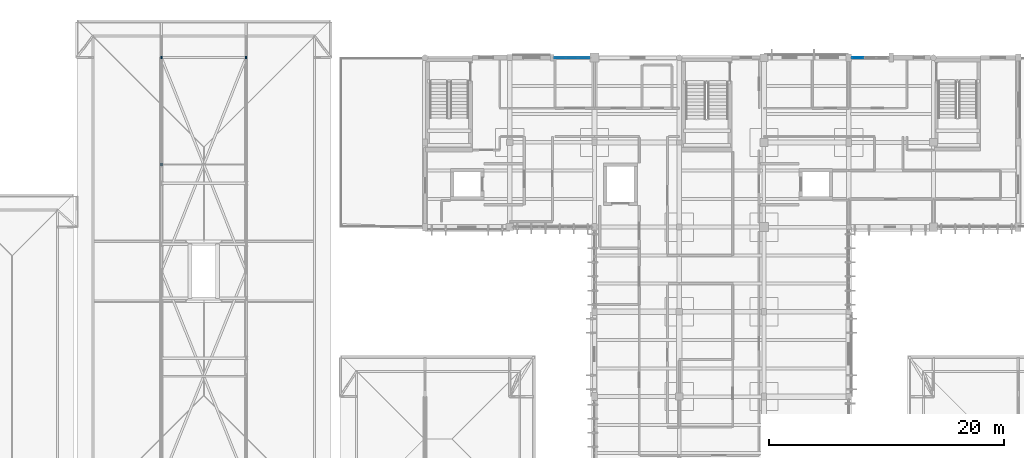
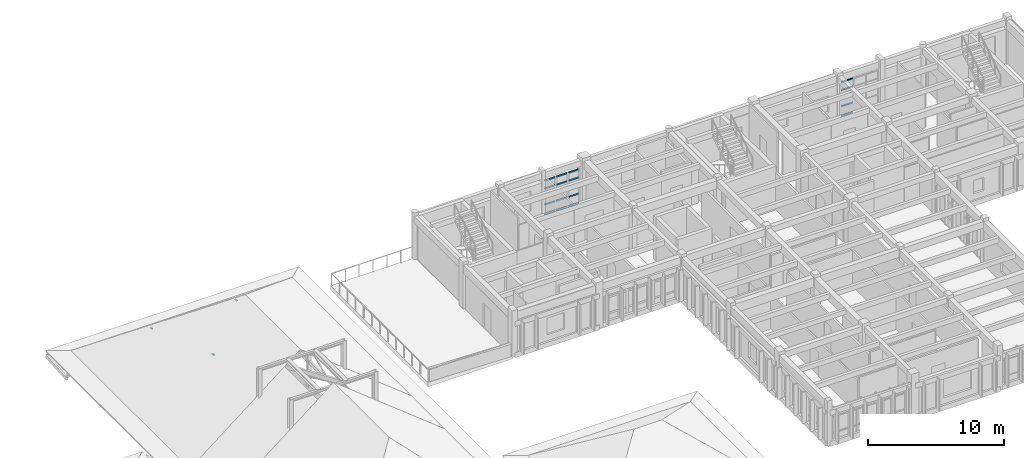
# One storey, part 21 of 51: 19 members, 2 elements without a shape of their own.
"""IFC4 building model written with IfcOpenShell, lengths in metres."""

import ifcopenshell
import ifcopenshell.guid

model = None  # the IFC model being written
_history = None  # IfcOwnerHistory: only IFC2X3 demands one
_inside = {}  # id of a spatial element -> (the spatial element, [elements in it])
_under = {}  # id of a project, library or spatial element -> (it, [spatial elements below it])
_declared = {}  # id of a project -> (the project, [libraries it declares])
_typed = {}  # id of a type object -> (the type object, [elements of that type])
_made_of = {}  # id of a material, layer set ... -> (it, [elements and type objects made of it])


def new_model(schema):
    """Start an empty IFC model of exactly this schema.

    Asked for "IFC4X3", IfcOpenShell would pick the latest addendum, in which some entities
    have other attributes; the version numbers below select the first issue.
    IFC2X3 requires an IfcOwnerHistory on every rooted entity: one is made here for all.
    """
    global model, _history
    if schema == "IFC4X3":
        model = ifcopenshell.file(schema_version=(4, 3, 0, 0))
    else:
        model = ifcopenshell.file(schema=schema)
    _inside.clear()
    _under.clear()
    _declared.clear()
    _typed.clear()
    _made_of.clear()
    _history = None
    if model.schema == "IFC2X3":
        org = make("IfcOrganization", Name="unknown")
        user = make(
            "IfcPersonAndOrganization",
            ThePerson=make("IfcPerson", FamilyName="unknown"),
            TheOrganization=org,
        )
        app = make(
            "IfcApplication",
            ApplicationDeveloper=org,
            Version="unknown",
            ApplicationFullName="unknown",
            ApplicationIdentifier="unknown",
        )
        _history = make(
            "IfcOwnerHistory",
            OwningUser=user,
            OwningApplication=app,
            ChangeAction="ADDED",
            CreationDate=0,
        )
    return model


def make(cls, **values):
    """One entity of the class cls with the attributes given. An attribute that is None is left unset."""
    return model.create_entity(
        cls, **{name: value for name, value in values.items() if value is not None}
    )


def rooted(cls, **values):
    """An entity with a GlobalId (a new one), such as an element, a storey or a relation."""
    return make(cls, GlobalId=ifcopenshell.guid.new(), OwnerHistory=_history, **values)


def si_unit(unit_type, name, prefix=None):
    """IfcSIUnit, for example si_unit("LENGTHUNIT", "METRE", prefix="MILLI")."""
    return make("IfcSIUnit", UnitType=unit_type, Prefix=prefix, Name=name)


def assignment(units):
    """IfcUnitAssignment: the units of a project."""
    return None if units is None else make("IfcUnitAssignment", Units=units)


def point(xyz):
    """IfcCartesianPoint."""
    return None if xyz is None else make("IfcCartesianPoint", Coordinates=xyz)


def direction(xyz):
    """IfcDirection."""
    return None if xyz is None else make("IfcDirection", DirectionRatios=xyz)


def frame(location, z_axis=None, x_axis=None):
    """IfcAxis2Placement3D, a coordinate frame: its origin and axes. An axis left out is left unset."""
    return make(
        "IfcAxis2Placement3D",
        Location=point(location),
        Axis=direction(z_axis),
        RefDirection=direction(x_axis),
    )


def frame_2d(location, x_axis=None):
    """IfcAxis2Placement2D, a coordinate frame in the plane: its origin and x axis."""
    return make(
        "IfcAxis2Placement2D", Location=point(location), RefDirection=direction(x_axis)
    )


def origin():
    """The frame at (0, 0, 0) with its axes left unset."""
    return frame((0.0, 0.0, 0.0))


def origin_2d():
    """The frame at (0, 0) in the plane with its x axis left unset."""
    return frame_2d((0.0, 0.0))


def place(relative_to, where):
    """IfcLocalPlacement: puts the frame where relative to a parent placement (None: the world)."""
    return make(
        "IfcLocalPlacement", PlacementRelTo=relative_to, RelativePlacement=where
    )


def context(
    kind, dimensions, precision=None, world=None, true_north=None, identifier=None
):
    """IfcGeometricRepresentationContext, for example the 3D "Model" context."""
    return make(
        "IfcGeometricRepresentationContext",
        ContextIdentifier=identifier,
        ContextType=kind,
        CoordinateSpaceDimension=dimensions,
        Precision=precision,
        WorldCoordinateSystem=world,
        TrueNorth=true_north,
    )


def subcontext(parent, identifier, kind, view, scale=None):
    """IfcGeometricRepresentationSubContext, for example "Body" below "Model"."""
    return make(
        "IfcGeometricRepresentationSubContext",
        ContextIdentifier=identifier,
        ContextType=kind,
        ParentContext=parent,
        TargetScale=scale,
        TargetView=view,
    )


def project(units=None, contexts=None):
    """IfcProject with its units and contexts."""
    return rooted(
        "IfcProject",
        Name="project",
        RepresentationContexts=contexts,
        UnitsInContext=assignment(units),
    )


def spatial(cls, under=None, at=None, **own):
    """A site, building, storey or space (cls), placed at a placement, below another one or the project."""
    s = rooted(cls, ObjectPlacement=at, **own)
    if under is not None:
        _under.setdefault(under.id(), (under, []))[1].append(s)
    return s


def profile(cls, at=None, kind="AREA", **sizes):
    """A parametric profile (cls). Its sizes go by their IFC names, for example OverallWidth=200.0."""
    return make(cls, ProfileType=kind, Position=at, **sizes)


def rectangle(**sizes):
    """IfcRectangleProfileDef."""
    return profile("IfcRectangleProfileDef", **sizes)


def extrude(swept, where, along, depth):
    """IfcExtrudedAreaSolid: the profile swept, set in the frame where, extruded along a direction by depth."""
    return make(
        "IfcExtrudedAreaSolid",
        SweptArea=swept,
        Position=where,
        ExtrudedDirection=direction(along),
        Depth=depth,
    )


def shape(context_of_items, identifier, shape_type, items):
    """IfcShapeRepresentation: the items that make up one representation, for example the "Body"."""
    return make(
        "IfcShapeRepresentation",
        ContextOfItems=context_of_items,
        RepresentationIdentifier=identifier,
        RepresentationType=shape_type,
        Items=items,
    )


def material(Name=None, Category=None):
    """IfcMaterial."""
    return make("IfcMaterial", Name=Name, Category=Category)


def material_profile(
    of_material, cross_section, Name=None, Category=None, Priority=None
):
    """IfcMaterialProfile: a cross section and its material."""
    return make(
        "IfcMaterialProfile",
        Name=Name,
        Material=of_material,
        Profile=cross_section,
        Priority=Priority,
        Category=Category,
    )


def profile_set(profiles, Name=None, composite=None):
    """IfcMaterialProfileSet."""
    return make(
        "IfcMaterialProfileSet",
        Name=Name,
        MaterialProfiles=profiles,
        CompositeProfile=composite,
    )


def made_of(thing, what):
    """Note that an element or type object is made of a material, layer set ...; save() writes the relation."""
    if what is not None:
        _made_of.setdefault(what.id(), (what, []))[1].append(thing)
    return thing


def type_object(cls, material=None, **own):
    """A type object (cls), such as IfcWallType, which elements share."""
    return made_of(rooted(cls, **own), material)


def element(
    cls,
    number,
    at=None,
    inside=None,
    cuts=None,
    type_object=None,
    material=None,
    context=None,
    identifier="Body",
    shape_type=None,
    held_by="IfcProductDefinitionShape",
    body=None,
    shapes=None,
    **own,
):
    """One element of the class cls, such as IfcWall. Its Tag is "e" and its number.

    at: its placement. inside: the storey or other place that contains it. cuts: it is an
    opening in that element (IfcRelVoidsElement). A single representation is given by context,
    identifier, shape_type and body (its items); several are given by shapes. held_by: the class
    of the entity that holds the representations. save() writes the other relations.
    """
    e = rooted(cls, Tag="e%d" % number, ObjectPlacement=at, **own)
    if body is not None:
        shapes = [shape(context, identifier, shape_type, body)]
    if shapes is not None:
        e.Representation = make(held_by, Representations=shapes)
    if inside is not None:
        _inside.setdefault(inside.id(), (inside, []))[1].append(e)
    if cuts is not None:
        rooted(
            "IfcRelVoidsElement", RelatingBuildingElement=cuts, RelatedOpeningElement=e
        )
    if type_object is not None:
        _typed.setdefault(type_object.id(), (type_object, []))[1].append(e)
    return made_of(e, material)


def aggregate(whole, parts):
    """IfcRelAggregates: a whole, such as a stair, and the parts it consists of."""
    return rooted("IfcRelAggregates", RelatingObject=whole, RelatedObjects=parts)


def save(model, path):
    """Write the relations noted so far, then the file.

    IfcRelAggregates (storeys below a building ...), IfcRelContainedInSpatialStructure (elements
    in a storey), IfcRelDefinesByType, IfcRelAssociatesMaterial and IfcRelDeclares: one each for
    every whole, place, type object, material and project.
    """
    for whole, parts in _under.values():
        aggregate(whole, parts)
    for where, things in _inside.values():
        rooted(
            "IfcRelContainedInSpatialStructure",
            RelatedElements=things,
            RelatingStructure=where,
        )
    for kind, things in _typed.values():
        rooted("IfcRelDefinesByType", RelatedObjects=things, RelatingType=kind)
    for what, things in _made_of.values():
        rooted("IfcRelAssociatesMaterial", RelatedObjects=things, RelatingMaterial=what)
    for by, libraries in _declared.values():
        rooted("IfcRelDeclares", RelatingContext=by, RelatedDefinitions=libraries)
    model.write(path)


model = new_model("IFC4")

# Units and contexts
model_context = context("Model", 3, precision=1e-05, world=origin(), true_north=direction((0.0, 1.0)))
body_context = subcontext(model_context, "Body", "Model", "MODEL_VIEW")
ifc_project = project(units=[si_unit("LENGTHUNIT", "METRE"), si_unit("AREAUNIT", "SQUARE_METRE"), si_unit("VOLUMEUNIT", "CUBIC_METRE"), si_unit("PLANEANGLEUNIT", "RADIAN"), si_unit("MASSUNIT", "GRAM", prefix="KILO")], contexts=[model_context])

# Site, building, storey
site_placement = place(None, origin())
site = spatial("IfcSite", under=ifc_project, at=site_placement, CompositionType="ELEMENT")
building_placement = place(site_placement, origin())
building = spatial("IfcBuilding", under=site, at=building_placement, Name="Steenspoor Specialist Clinic", CompositionType="ELEMENT")
storey_placement = place(building_placement, frame((0.0, 0.0, 17.39990234375)))
storey = spatial("IfcBuildingStorey", under=building, at=storey_placement, Name="L04", CompositionType="ELEMENT", Elevation=17.39990234375)

# Curtain wall, members
ifc_material_1 = material(Name="Thermally broken aluminium and low-emissivity glass", Category="aluminium")
curtain_wall_type_1 = type_object("IfcCurtainWallType", Name="CW-L00-240X415", PredefinedType="USERDEFINED", material=ifc_material_1)
curtain_wall_1_placement = place(storey_placement, origin())
curtain_wall_1 = element("IfcCurtainWall", 1, at=curtain_wall_1_placement, inside=storey, type_object=curtain_wall_type_1, Name="Unitised Curtain Wall CW-V4-L04-128", ObjectType="UNITISED GLAZING", PredefinedType="USERDEFINED")
ifc_material_2 = material(Name="Thermally broken aluminium 6063-T6", Category="aluminium")
ifc_material_profile_1 = material_profile(ifc_material_2, rectangle(XDim=0.06005859375, YDim=0.114990234375, at=origin_2d()), Name="CWT-60X115")
ifc_profile_set_1 = profile_set([ifc_material_profile_1], Name="Thermally broken aluminium 6063-T6")
member_type_1 = type_object("IfcMemberType", Name="CW-TRAN-60X115", PredefinedType="USERDEFINED", material=ifc_profile_set_1)
member_1_placement = place(storey_placement, frame((95.89501953125, 108.35009765625, 0.030029296875), z_axis=(1.0, 0.0, 0.0), x_axis=(0.0, 1.0, 0.0)))
member_1 = element("IfcMember", 2, at=member_1_placement, type_object=member_type_1, Name="CW-08 transom 1.1", ObjectType="TRANSOM", PredefinedType="USERDEFINED", context=body_context, shape_type="SweptSolid", body=[
    extrude(rectangle(XDim=0.06005859375, YDim=0.114990234375, at=origin_2d()), origin(), (0.0, 0.0, 1.0), 0.95654296875),
])
member_2_placement = place(storey_placement, frame((95.89501953125, 108.35009765625, 0.900146484375), z_axis=(1.0, 0.0, 0.0), x_axis=(0.0, 1.0, 0.0)))
member_2 = element("IfcMember", 3, at=member_2_placement, type_object=member_type_1, Name="CW-08 transom 1.2", ObjectType="TRANSOM", PredefinedType="USERDEFINED", context=body_context, shape_type="SweptSolid", body=[
    extrude(rectangle(XDim=0.06005859375, YDim=0.114990234375, at=origin_2d()), origin(), (0.0, 0.0, 1.0), 0.95654296875),
])
member_3_placement = place(storey_placement, frame((95.89501953125, 108.35009765625, 2.35009765625), z_axis=(1.0, 0.0, 0.0), x_axis=(0.0, 1.0, 0.0)))
member_3 = element("IfcMember", 4, at=member_3_placement, type_object=member_type_1, Name="CW-08 transom 1.3", ObjectType="TRANSOM", PredefinedType="USERDEFINED", context=body_context, shape_type="SweptSolid", body=[
    extrude(rectangle(XDim=0.06005859375, YDim=0.114990234375, at=origin_2d()), origin(), (0.0, 0.0, 1.0), 0.95654296875),
])
member_4_placement = place(storey_placement, frame((95.89501953125, 108.35009765625, 3.070068359375), z_axis=(1.0, 0.0, 0.0), x_axis=(0.0, 1.0, 0.0)))
member_4 = element("IfcMember", 5, at=member_4_placement, type_object=member_type_1, Name="CW-08 transom 1.4", ObjectType="TRANSOM", PredefinedType="USERDEFINED", context=body_context, shape_type="SweptSolid", body=[
    extrude(rectangle(XDim=0.06005859375, YDim=0.114990234375, at=origin_2d()), origin(), (0.0, 0.0, 1.0), 0.95654296875),
])
aggregate(curtain_wall_1, [member_1, member_2, member_3, member_4])

curtain_wall_type_2 = type_object("IfcCurtainWallType", Name="CW-L00-360X415", PredefinedType="USERDEFINED", material=ifc_material_1)
curtain_wall_2_placement = place(storey_placement, origin())
curtain_wall_2 = element("IfcCurtainWall", 6, at=curtain_wall_2_placement, inside=storey, type_object=curtain_wall_type_2, Name="Unitised Curtain Wall CW-V4-L04-127", ObjectType="UNITISED GLAZING", PredefinedType="USERDEFINED")
ifc_material_profile_2 = material_profile(ifc_material_2, rectangle(XDim=0.06494140625, YDim=0.1298828125, at=origin_2d()), Name="CWT-65X130")
ifc_profile_set_2 = profile_set([ifc_material_profile_2], Name="Thermally broken aluminium 6063-T6")
member_type_2 = type_object("IfcMemberType", Name="CW-TRAN-65X130", PredefinedType="USERDEFINED", material=ifc_profile_set_2)
member_5_placement = place(storey_placement, frame((70.6201171875, 108.35009765625, 0.03271484375), z_axis=(1.0, 0.0, 0.0), x_axis=(0.0, 1.0, 0.0)))
member_5 = element("IfcMember", 7, at=member_5_placement, type_object=member_type_2, Name="CW-07 transom 1.1", ObjectType="TRANSOM", PredefinedType="USERDEFINED", context=body_context, shape_type="SweptSolid", body=[
    extrude(rectangle(XDim=0.06494140625, YDim=0.1298828125, at=origin_2d()), origin(), (0.0, 0.0, 1.0), 0.908203125),
])
member_6_placement = place(storey_placement, frame((70.6201171875, 108.35009765625, 0.900146484375), z_axis=(1.0, 0.0, 0.0), x_axis=(0.0, 1.0, 0.0)))
member_6 = element("IfcMember", 8, at=member_6_placement, type_object=member_type_2, Name="CW-07 transom 1.2", ObjectType="TRANSOM", PredefinedType="USERDEFINED", context=body_context, shape_type="SweptSolid", body=[
    extrude(rectangle(XDim=0.06494140625, YDim=0.1298828125, at=origin_2d()), origin(), (0.0, 0.0, 1.0), 0.908203125),
])
member_7_placement = place(storey_placement, frame((70.6201171875, 108.35009765625, 2.35009765625), z_axis=(1.0, 0.0, 0.0), x_axis=(0.0, 1.0, 0.0)))
member_7 = element("IfcMember", 9, at=member_7_placement, type_object=member_type_2, Name="CW-07 transom 1.3", ObjectType="TRANSOM", PredefinedType="USERDEFINED", context=body_context, shape_type="SweptSolid", body=[
    extrude(rectangle(XDim=0.06494140625, YDim=0.1298828125, at=origin_2d()), origin(), (0.0, 0.0, 1.0), 0.908203125),
])
member_8_placement = place(storey_placement, frame((70.6201171875, 108.35009765625, 3.067626953125), z_axis=(1.0, 0.0, 0.0), x_axis=(0.0, 1.0, 0.0)))
member_8 = element("IfcMember", 10, at=member_8_placement, type_object=member_type_2, Name="CW-07 transom 1.4", ObjectType="TRANSOM", PredefinedType="USERDEFINED", context=body_context, shape_type="SweptSolid", body=[
    extrude(rectangle(XDim=0.06494140625, YDim=0.1298828125, at=origin_2d()), origin(), (0.0, 0.0, 1.0), 0.908203125),
])
member_9_placement = place(storey_placement, frame((71.6083984375, 108.35009765625, 0.03271484375), z_axis=(1.0, 0.0, 0.0), x_axis=(0.0, 1.0, 0.0)))
member_9 = element("IfcMember", 11, at=member_9_placement, type_object=member_type_2, Name="CW-07 transom 2.1", ObjectType="TRANSOM", PredefinedType="USERDEFINED", context=body_context, shape_type="SweptSolid", body=[
    extrude(rectangle(XDim=0.06494140625, YDim=0.1298828125, at=origin_2d()), origin(), (0.0, 0.0, 1.0), 0.9482421875),
])
member_10_placement = place(storey_placement, frame((71.6083984375, 108.35009765625, 0.900146484375), z_axis=(1.0, 0.0, 0.0), x_axis=(0.0, 1.0, 0.0)))
member_10 = element("IfcMember", 12, at=member_10_placement, type_object=member_type_2, Name="CW-07 transom 2.2", ObjectType="TRANSOM", PredefinedType="USERDEFINED", context=body_context, shape_type="SweptSolid", body=[
    extrude(rectangle(XDim=0.06494140625, YDim=0.1298828125, at=origin_2d()), origin(), (0.0, 0.0, 1.0), 0.9482421875),
])
member_11_placement = place(storey_placement, frame((71.6083984375, 108.35009765625, 2.35009765625), z_axis=(1.0, 0.0, 0.0), x_axis=(0.0, 1.0, 0.0)))
member_11 = element("IfcMember", 13, at=member_11_placement, type_object=member_type_2, Name="CW-07 transom 2.3", ObjectType="TRANSOM", PredefinedType="USERDEFINED", context=body_context, shape_type="SweptSolid", body=[
    extrude(rectangle(XDim=0.06494140625, YDim=0.1298828125, at=origin_2d()), origin(), (0.0, 0.0, 1.0), 0.9482421875),
])
member_12_placement = place(storey_placement, frame((71.6083984375, 108.35009765625, 3.067626953125), z_axis=(1.0, 0.0, 0.0), x_axis=(0.0, 1.0, 0.0)))
member_12 = element("IfcMember", 14, at=member_12_placement, type_object=member_type_2, Name="CW-07 transom 2.4", ObjectType="TRANSOM", PredefinedType="USERDEFINED", context=body_context, shape_type="SweptSolid", body=[
    extrude(rectangle(XDim=0.06494140625, YDim=0.1298828125, at=origin_2d()), origin(), (0.0, 0.0, 1.0), 0.9482421875),
])
member_13_placement = place(storey_placement, frame((72.63671875, 108.35009765625, 0.03271484375), z_axis=(1.0, 0.0, 0.0), x_axis=(0.0, 1.0, 0.0)))
member_13 = element("IfcMember", 15, at=member_13_placement, type_object=member_type_2, Name="CW-07 transom 3.1", ObjectType="TRANSOM", PredefinedType="USERDEFINED", context=body_context, shape_type="SweptSolid", body=[
    extrude(rectangle(XDim=0.06494140625, YDim=0.1298828125, at=origin_2d()), origin(), (0.0, 0.0, 1.0), 0.908203125),
])
member_14_placement = place(storey_placement, frame((72.63671875, 108.35009765625, 0.900146484375), z_axis=(1.0, 0.0, 0.0), x_axis=(0.0, 1.0, 0.0)))
member_14 = element("IfcMember", 16, at=member_14_placement, type_object=member_type_2, Name="CW-07 transom 3.2", ObjectType="TRANSOM", PredefinedType="USERDEFINED", context=body_context, shape_type="SweptSolid", body=[
    extrude(rectangle(XDim=0.06494140625, YDim=0.1298828125, at=origin_2d()), origin(), (0.0, 0.0, 1.0), 0.908203125),
])
member_15_placement = place(storey_placement, frame((72.63671875, 108.35009765625, 2.35009765625), z_axis=(1.0, 0.0, 0.0), x_axis=(0.0, 1.0, 0.0)))
member_15 = element("IfcMember", 17, at=member_15_placement, type_object=member_type_2, Name="CW-07 transom 3.3", ObjectType="TRANSOM", PredefinedType="USERDEFINED", context=body_context, shape_type="SweptSolid", body=[
    extrude(rectangle(XDim=0.06494140625, YDim=0.1298828125, at=origin_2d()), origin(), (0.0, 0.0, 1.0), 0.908203125),
])
member_16_placement = place(storey_placement, frame((72.63671875, 108.35009765625, 3.067626953125), z_axis=(1.0, 0.0, 0.0), x_axis=(0.0, 1.0, 0.0)))
member_16 = element("IfcMember", 18, at=member_16_placement, type_object=member_type_2, Name="CW-07 transom 3.4", ObjectType="TRANSOM", PredefinedType="USERDEFINED", context=body_context, shape_type="SweptSolid", body=[
    extrude(rectangle(XDim=0.06494140625, YDim=0.1298828125, at=origin_2d()), origin(), (0.0, 0.0, 1.0), 0.908203125),
])
aggregate(curtain_wall_2, [member_5, member_6, member_7, member_8, member_9, member_10, member_11, member_12, member_13, member_14, member_15, member_16])

# Members
ifc_material_3 = material(Name="Glulam GL28h", Category="wood")
ifc_material_profile_3 = material_profile(ifc_material_3, rectangle(XDim=0.139892578125, YDim=0.219970703125, at=origin_2d()), Name="GL28H-140X220")
ifc_profile_set_3 = profile_set([ifc_material_profile_3], Name="Glulam GL28h")
member_type_3 = type_object("IfcMemberType", Name="MEM-RAFTER-GL220", PredefinedType="RAFTER", material=ifc_profile_set_3)
member_17_placement = place(storey_placement, frame((37.199951171875, 99.27490234375, 4.580810546875), z_axis=(0.0, 0.0, 1.0), x_axis=(1.0, 0.0, 0.0)))
element("IfcMember", 19, at=member_17_placement, inside=storey, type_object=member_type_3, Name="ROOF TRUSS Purlin Pack 445A", PredefinedType="RAFTER", context=body_context, shape_type="SweptSolid", body=[
    extrude(rectangle(XDim=0.139892578125, YDim=0.219970703125, at=origin_2d()), origin(), (0.0, 0.0, 1.0), 0.110595703125),
])
member_18_placement = place(storey_placement, frame((37.199951171875, 108.35009765625, 1.435302734375), z_axis=(0.0, 0.0, 1.0), x_axis=(1.0, 0.0, 0.0)))
element("IfcMember", 20, at=member_18_placement, inside=storey, type_object=member_type_3, Name="ROOF TRUSS Purlin Pack 446A", PredefinedType="RAFTER", context=body_context, shape_type="SweptSolid", body=[
    extrude(rectangle(XDim=0.139892578125, YDim=0.219970703125, at=origin_2d()), origin(), (0.0, 0.0, 1.0), 0.09033203125),
])
member_19_placement = place(storey_placement, frame((44.39990234375, 108.35009765625, 1.45556640625), z_axis=(0.0, 0.0, 1.0), x_axis=(1.0, 0.0, 0.0)))
element("IfcMember", 21, at=member_19_placement, inside=storey, type_object=member_type_3, Name="ROOF TRUSS Purlin Pack 446B", PredefinedType="RAFTER", context=body_context, shape_type="SweptSolid", body=[
    extrude(rectangle(XDim=0.139892578125, YDim=0.219970703125, at=origin_2d()), origin(), (0.0, 0.0, 1.0), 0.100830078125),
])

save(model, "model.ifc")
